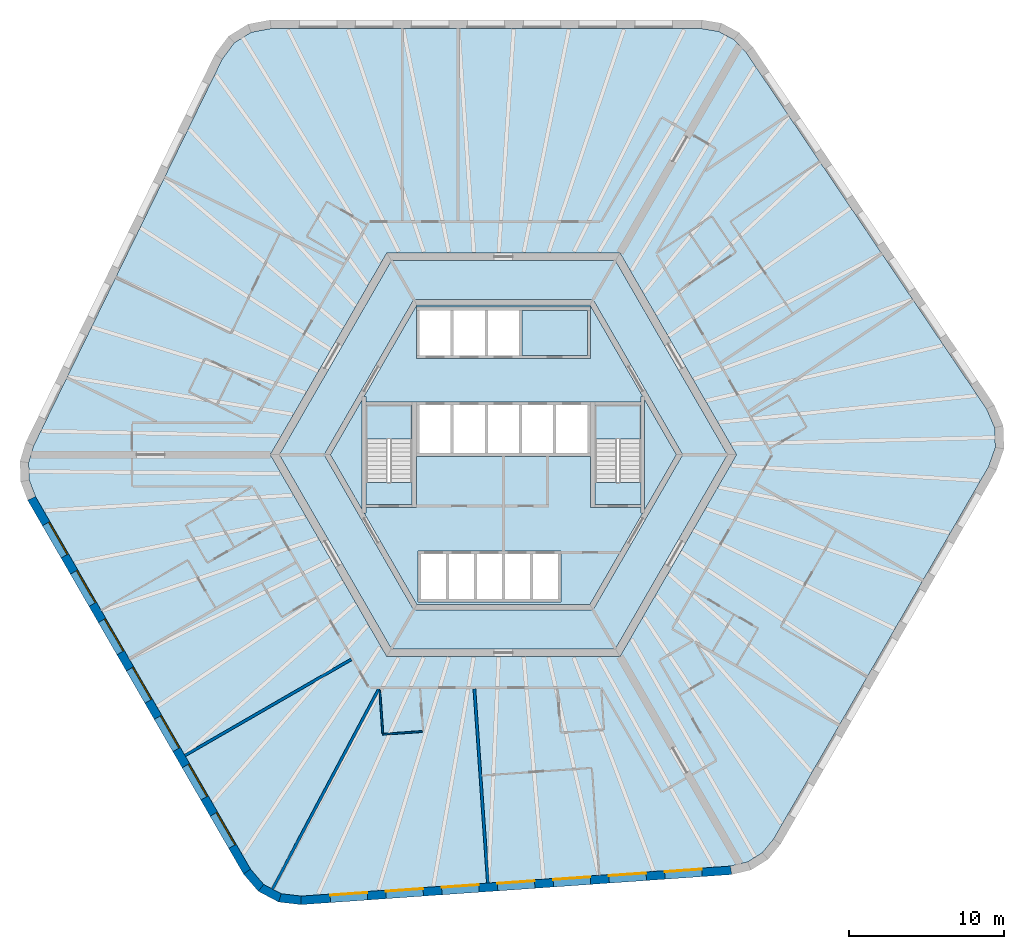
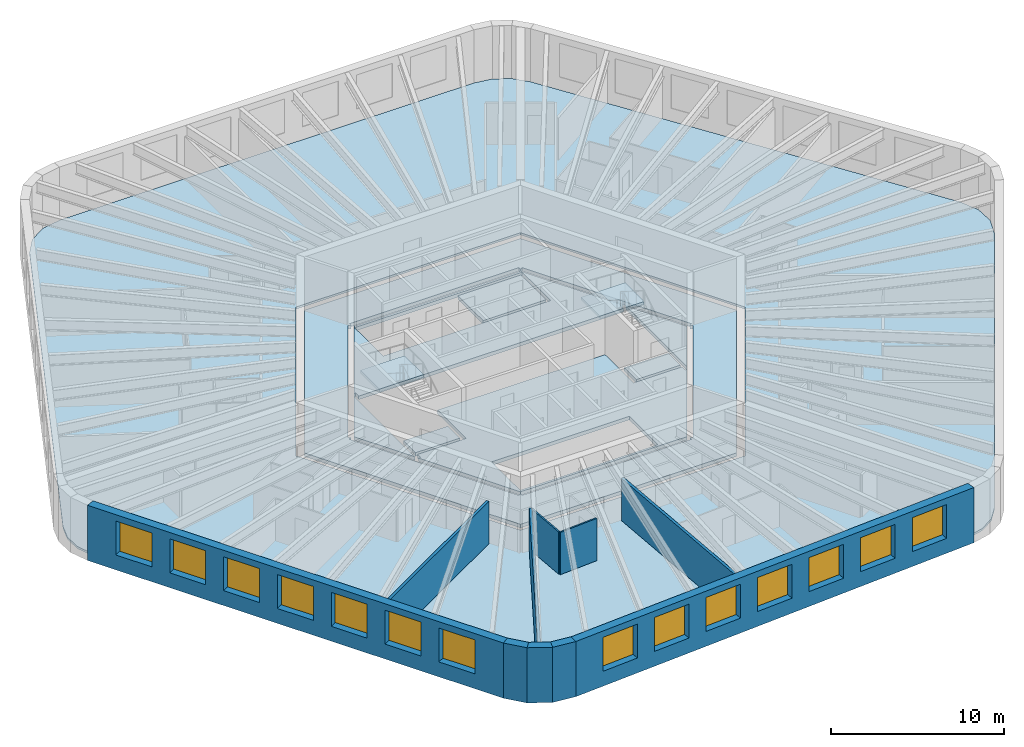
# One storey, part 2 of 10: 14 windows, 11 slabs, 10 walls, 14 openings, 2 elements without a shape of their own.
"""IFC4 building model written with IfcOpenShell, lengths in metres."""

from ifc_helpers import new_model, si_unit, direction, frame, frame_2d, origin, place, context, subcontext, project, spatial, polyline, rectangle, outline, extrude, material, layer, layer_set, type_object, element, fill, aggregate, save


model = new_model("IFC4")

# Units and contexts
model_context = context("Model", 3, precision=1e-05, world=origin(), true_north=direction((0.0, 1.0)))
body_context = subcontext(model_context, "Body", "Model", "MODEL_VIEW")
ifc_project = project(units=[si_unit("LENGTHUNIT", "METRE"), si_unit("AREAUNIT", "SQUARE_METRE"), si_unit("VOLUMEUNIT", "CUBIC_METRE"), si_unit("PLANEANGLEUNIT", "RADIAN"), si_unit("MASSUNIT", "GRAM", prefix="KILO")], contexts=[model_context])

# Site, building, storey
site_placement = place(None, origin())
site = spatial("IfcSite", under=ifc_project, at=site_placement, CompositionType="ELEMENT")
building_placement = place(site_placement, origin())
building = spatial("IfcBuilding", under=site, at=building_placement, Name="Tarnside Tower", CompositionType="ELEMENT")
storey_placement = place(building_placement, frame((0.0, 0.0, 168.300048828125)))
storey = spatial("IfcBuildingStorey", under=building, at=storey_placement, Name="L39", CompositionType="ELEMENT", Elevation=168.300048828125)

# Slabs
ifc_material_1 = material(Name="Concrete C35/45", Category="concrete")
ifc_layer_1 = layer(ifc_material_1, 0.14990234375)
ifc_layer_set_1 = layer_set([ifc_layer_1], Name="Composite floor slab 150")
slab_type_1 = type_object("IfcSlabType", Name="Composite floor slab 150", PredefinedType="FLOOR", material=ifc_layer_set_1)
slab_1_placement = place(storey_placement, frame((0.0, 0.0, -0.150146484375)))
element("IfcSlab", 1, at=slab_1_placement, inside=storey, type_object=slab_type_1, Name="Floor slab L39", PredefinedType="FLOOR", context=body_context, shape_type="SweptSolid", body=[
    extrude(outline(polyline([(13.864013671875, 27.264892578125), (14.85107421875, 26.740234375), (15.6337890625, 25.91064453125), (31.12890625, 2.938232421875), (31.644287109375, 1.7431640625), (31.68896484375, 0.468505859375), (31.258056640625, -0.759521484375), (17.403076171875, -24.7568359375), (16.68017578125, -25.63916015625), (15.732177734375, -26.2314453125), (14.622314453125, -26.494384765625), (-13.02001953125, -28.427490234375), (-14.3125, -28.2763671875), (-15.438720703125, -27.677490234375), (-16.286865234375, -26.6904296875), (-30.1416015625, -2.693115234375), (-30.544189453125, -1.6259765625), (-30.583251953125, -0.5087890625), (-30.256103515625, 0.583984375), (-18.10888671875, 25.4892578125), (-17.331787109375, 26.533203125), (-16.250244140625, 27.208984375), (-14.97119140625, 27.449951171875), (12.738525390625, 27.449951171875), (13.864013671875, 27.264892578125)]), holes=[polyline([(-15.010986328125, 0.0), (-7.505615234375, -13.0), (7.505615234375, -13.0), (15.010986328125, 0.0), (7.505615234375, 13.0), (-7.505615234375, 13.0), (-15.010986328125, 0.0)])]), origin(), (0.0, 0.0, 1.0), 0.150146484375),
])
ifc_material_2 = material(Name="Concrete C40/50", Category="concrete")
ifc_layer_2 = layer(ifc_material_2, 0.25)
ifc_layer_set_2 = layer_set([ifc_layer_2], Name="Core slab C40/50")
slab_type_2 = type_object("IfcSlabType", Name="Core slab C40/50", PredefinedType="FLOOR", material=ifc_layer_set_2)
slab_2_placement = place(storey_placement, frame((0.0, 0.0, -0.25)))
element("IfcSlab", 2, at=slab_2_placement, inside=storey, type_object=slab_type_2, Name="L39 core floor slab 1", PredefinedType="FLOOR", context=body_context, shape_type="SweptSolid", body=[
    extrude(outline(polyline([(-7.216796875, 12.5), (7.216796875, 12.5), (14.433837890625, 0.0), (7.216796875, -12.5), (-7.216796875, -12.5), (-14.433837890625, 0.0), (-7.216796875, 12.5)]), holes=[polyline([(5.823974609375, -9.91259765625), (11.49658203125, -0.08740234375), (11.344970703125, 0.0), (11.49658203125, 0.08740234375), (5.823974609375, 9.91259765625), (5.672607421875, 9.824951171875), (5.672607421875, 10.0), (-5.672607421875, 10.0), (-5.672607421875, 9.824951171875), (-5.823974609375, 9.91259765625), (-11.49658203125, 0.08740234375), (-11.344970703125, 0.0), (-11.49658203125, -0.08740234375), (-5.823974609375, -9.91259765625), (-5.672607421875, -9.824951171875), (-5.672607421875, -10.0), (5.672607421875, -10.0), (5.672607421875, -9.824951171875), (5.823974609375, -9.91259765625)])]), origin(), (0.0, 0.0, 1.0), 0.25),
])
slab_3_placement = place(storey_placement, frame((0.0, 0.0, -0.25)))
element("IfcSlab", 3, at=slab_3_placement, inside=storey, type_object=slab_type_2, Name="L39 core floor slab 2", PredefinedType="FLOOR", context=body_context, shape_type="SweptSolid", body=[
    extrude(outline(polyline([(-8.97509765625, 3.7548828125), (-5.5712890625, 9.64990234375), (5.5712890625, 9.64990234375), (8.97509765625, 3.7548828125), (8.85009765625, 3.7548828125), (8.85009765625, 3.39990234375), (5.89990234375, 3.39990234375), (5.60009765625, 3.39990234375), (5.60009765625, 3.39990234375), (-5.60009765625, 3.39990234375), (-5.89990234375, 3.39990234375), (-8.85009765625, 3.39990234375), (-8.85009765625, 3.7548828125), (-8.97509765625, 3.7548828125)]), holes=[polyline([(-5.60009765625, 6.199951171875), (5.60009765625, 6.199951171875), (5.60009765625, 6.39990234375), (5.60009765625, 9.300048828125), (5.60009765625, 9.5), (-5.60009765625, 9.5), (-5.60009765625, 9.300048828125), (-5.60009765625, 6.39990234375), (-5.60009765625, 6.199951171875)])]), origin(), (0.0, 0.0, 1.0), 0.25),
])
slab_4_placement = place(storey_placement, frame((0.0, 0.0, -0.25)))
element("IfcSlab", 4, at=slab_4_placement, inside=storey, type_object=slab_type_2, Name="L39 core floor slab 3", PredefinedType="FLOOR", context=body_context, shape_type="SweptSolid", body=[
    extrude(outline(polyline([(5.60009765625, -3.39990234375), (5.89990234375, -3.39990234375), (8.85009765625, -3.39990234375), (8.85009765625, -3.7548828125), (8.97509765625, -3.7548828125), (5.5712890625, -9.64990234375), (-5.5712890625, -9.64990234375), (-8.97509765625, -3.7548828125), (-8.85009765625, -3.7548828125), (-8.85009765625, -3.39990234375), (-5.89990234375, -3.39990234375), (-5.60009765625, -3.39990234375), (-5.60009765625, -0.10009765625), (5.60009765625, -0.10009765625), (5.60009765625, -3.39990234375)]), holes=[polyline([(-5.5, -9.300048828125), (-5.5, -9.5), (3.699951171875, -9.5), (3.699951171875, -9.300048828125), (3.699951171875, -6.39990234375), (3.699951171875, -6.199951171875), (-5.5, -6.199951171875), (-5.5, -6.39990234375), (-5.5, -9.300048828125)])]), origin(), (0.0, 0.0, 1.0), 0.25),
])
slab_5_placement = place(storey_placement, frame((0.0, 0.0, -0.25)))
element("IfcSlab", 5, at=slab_5_placement, inside=storey, type_object=slab_type_2, Name="L39 core floor slab 4", PredefinedType="FLOOR", context=body_context, shape_type="SweptSolid", body=[
    extrude(outline(polyline([(-11.142822265625, 0.0), (-9.10009765625, 3.538330078125), (-9.10009765625, -3.538330078125), (-11.142822265625, 0.0)])), origin(), (0.0, 0.0, 1.0), 0.25),
])
slab_6_placement = place(storey_placement, frame((0.0, 0.0, -0.25)))
element("IfcSlab", 6, at=slab_6_placement, inside=storey, type_object=slab_type_2, Name="L39 core floor slab 5", PredefinedType="FLOOR", context=body_context, shape_type="SweptSolid", body=[
    extrude(outline(polyline([(-8.85009765625, -1.800048828125), (-5.89990234375, -1.800048828125), (-5.89990234375, -3.199951171875), (-8.85009765625, -3.199951171875), (-8.85009765625, -1.800048828125)])), origin(), (0.0, 0.0, 1.0), 0.25),
])
slab_7_placement = place(storey_placement, frame((0.0, 0.0, -0.25)))
element("IfcSlab", 7, at=slab_7_placement, inside=storey, type_object=slab_type_2, Name="L39 core floor slab 6", PredefinedType="FLOOR", context=body_context, shape_type="SweptSolid", body=[
    extrude(outline(polyline([(5.89990234375, -3.199951171875), (5.89990234375, -1.800048828125), (8.85009765625, -1.800048828125), (8.85009765625, -3.199951171875), (5.89990234375, -3.199951171875)])), origin(), (0.0, 0.0, 1.0), 0.25),
])
slab_8_placement = place(storey_placement, frame((0.0, 0.0, -0.25)))
element("IfcSlab", 8, at=slab_8_placement, inside=storey, type_object=slab_type_2, Name="L39 core floor slab 7", PredefinedType="FLOOR", context=body_context, shape_type="SweptSolid", body=[
    extrude(outline(polyline([(9.10009765625, -3.538330078125), (9.10009765625, 3.538330078125), (11.142822265625, 0.0), (9.10009765625, -3.538330078125)])), origin(), (0.0, 0.0, 1.0), 0.25),
])
slab_9_placement = place(storey_placement, frame((0.0, 0.0, -0.25)))
element("IfcSlab", 9, at=slab_9_placement, inside=storey, type_object=slab_type_2, Name="L39 core floor slab 8", PredefinedType="FLOOR", context=body_context, shape_type="SweptSolid", body=[
    extrude(outline(polyline([(5.39990234375, 9.300048828125), (5.39990234375, 6.39990234375), (1.199951171875, 6.39990234375), (1.199951171875, 9.300048828125), (5.39990234375, 9.300048828125)])), origin(), (0.0, 0.0, 1.0), 0.25),
])

# Stair, slab
stair_type = type_object("IfcStairType", Name="Exit stair 1400 clear", PredefinedType="HALF_TURN_STAIR", material=ifc_material_2)
stair_1_placement = place(storey_placement, origin())
stair_1 = element("IfcStair", 10, at=stair_1_placement, inside=storey, type_object=stair_type, Name="L39 Exit stair 1", PredefinedType="HALF_TURN_STAIR")
ifc_layer_3 = layer(ifc_material_2, 0.199951171875)
ifc_layer_set_3 = layer_set([ifc_layer_3], Name="Stair landing 200 C40/50")
slab_type_3 = type_object("IfcSlabType", Name="Stair landing 200 C40/50", PredefinedType="LANDING", material=ifc_layer_set_3)
slab_10_placement = place(storey_placement, frame((0.0, 0.0, 1.75)))
slab_10 = element("IfcSlab", 11, at=slab_10_placement, type_object=slab_type_3, Name="ST1 landing 1", PredefinedType="LANDING", context=body_context, shape_type="SweptSolid", body=[
    extrude(outline(polyline([(8.85009765625, 1.0), (8.85009765625, 3.199951171875), (5.89990234375, 3.199951171875), (5.89990234375, 1.0), (8.85009765625, 1.0)])), origin(), (0.0, 0.0, 1.0), 0.199951171875),
])
aggregate(stair_1, [slab_10])

stair_2_placement = place(storey_placement, origin())
stair_2 = element("IfcStair", 12, at=stair_2_placement, inside=storey, type_object=stair_type, Name="L39 Exit stair 2", PredefinedType="HALF_TURN_STAIR")
slab_11_placement = place(storey_placement, frame((0.0, 0.0, 1.75)))
slab_11 = element("IfcSlab", 13, at=slab_11_placement, type_object=slab_type_3, Name="ST2 landing 1", PredefinedType="LANDING", context=body_context, shape_type="SweptSolid", body=[
    extrude(outline(polyline([(-5.89990234375, 1.0), (-5.89990234375, 3.199951171875), (-8.85009765625, 3.199951171875), (-8.85009765625, 1.0), (-5.89990234375, 1.0)])), origin(), (0.0, 0.0, 1.0), 0.199951171875),
])
aggregate(stair_2, [slab_11])

# Walls
ifc_material_3 = material(Name="Gypsum board partition on steel studs", Category="steel")
ifc_layer_4 = layer(ifc_material_3, 0.10009765625)
ifc_layer_set_4 = layer_set([ifc_layer_4], Name="Bathroom wall 100")
wall_type_1 = type_object("IfcWallType", Name="Bathroom wall 100", PredefinedType="PARTITIONING", material=ifc_layer_set_4)
wall_1_placement = place(storey_placement, frame((-5.2216796875, -17.82763671875, 0.0), z_axis=(0.0, 0.0, 1.0), x_axis=(-0.997567829494, -0.069702407128, 0.0)))
element("IfcWall", 14, at=wall_1_placement, inside=storey, type_object=wall_type_1, Name="Bathroom wall 12077", PredefinedType="PARTITIONING", context=body_context, shape_type="SweptSolid", body=[
    extrude(rectangle(XDim=2.5498046875, YDim=0.10009765625, at=frame_2d((1.27490234375, 0.0))), origin(), (0.0, 0.0, 1.0), 2.98779296875),
])
wall_2_placement = place(storey_placement, frame((-7.76904296875, -17.95556640625, 0.0), z_axis=(0.0, 0.0, 1.0), x_axis=(-0.069756058123, 0.997564079323, 0.0)))
element("IfcWall", 15, at=wall_2_placement, inside=storey, type_object=wall_type_1, Name="Bathroom wall 12078", PredefinedType="PARTITIONING", context=body_context, shape_type="SweptSolid", body=[
    extrude(rectangle(XDim=2.79296875, YDim=0.10009765625, at=frame_2d((1.396484375, 0.0))), origin(), (0.0, 0.0, 1.0), 2.98779296875),
])
ifc_layer_5 = layer(ifc_material_3, 0.179931640625)
ifc_layer_set_5 = layer_set([ifc_layer_5], Name="Demising wall 180 EI 60")
wall_type_2 = type_object("IfcWallType", Name="Demising wall 180 EI 60", PredefinedType="PARTITIONING", material=ifc_layer_set_5)
wall_3_placement = place(storey_placement, frame((-20.513427734375, -19.36962890625, 0.0), z_axis=(0.0, 0.0, 1.0), x_axis=(0.866024931941, 0.500000817256, 0.0)))
element("IfcWall", 16, at=wall_3_placement, inside=storey, type_object=wall_type_2, Name="Demising wall 12074", PredefinedType="PARTITIONING", context=body_context, shape_type="SweptSolid", body=[
    extrude(rectangle(XDim=12.375, YDim=0.179931640625, at=frame_2d((6.1875, 0.0))), origin(), (0.0, 0.0, 1.0), 2.98779296875),
])
wall_4_placement = place(storey_placement, frame((-14.875732421875, -27.97705078125, 0.0), z_axis=(0.0, 0.0, 1.0), x_axis=(0.469468328163, 0.882949312731, 0.0)))
element("IfcWall", 17, at=wall_4_placement, inside=storey, type_object=wall_type_2, Name="Demising wall 12075", PredefinedType="PARTITIONING", context=body_context, shape_type="SweptSolid", body=[
    extrude(rectangle(XDim=14.612548828125, YDim=0.179931640625, at=frame_2d((7.30615234375, 0.0))), origin(), (0.0, 0.0, 1.0), 2.98779296875),
])
wall_5_placement = place(storey_placement, frame((-0.99609375, -27.586669921875, 0.0), z_axis=(0.0, 0.0, 1.0), x_axis=(-0.069744671963, 0.997564875451, 0.0)))
element("IfcWall", 18, at=wall_5_placement, inside=storey, type_object=wall_type_2, Name="Demising wall 12079", PredefinedType="PARTITIONING", context=body_context, shape_type="SweptSolid", body=[
    extrude(rectangle(XDim=12.542236328125, YDim=0.179931640625, at=frame_2d((6.27099609375, 0.0))), origin(), (0.0, 0.0, 1.0), 2.98779296875),
])

# Wall, openings, windows
ifc_material_4 = material(Name="Facing brick", Category="masonry")
ifc_layer_6 = layer(ifc_material_4, 0.10205078125)
ifc_material_5 = material(Name="Concrete C60/75 precast", Category="concrete")
ifc_layer_7 = layer(ifc_material_5, 0.347900390625)
ifc_material_6 = material(Name="Mineral wool insulation")
ifc_layer_8 = layer(ifc_material_6, 0.10009765625)
ifc_layer_set_6 = layer_set([ifc_layer_6, ifc_layer_7, ifc_layer_8], Name="Tube wall 550 brick faced")
wall_type_3 = type_object("IfcWallType", Name="Tube wall 550 brick faced", PredefinedType="SOLIDWALL", material=ifc_layer_set_6)
wall_6_placement = place(storey_placement, frame((-30.39111328125, -2.81103515625, -0.150146484375), z_axis=(0.0, 0.0, 1.0), x_axis=(0.499998569178, -0.866026229868, 0.0)))
wall_6 = element("IfcWall", 19, at=wall_6_placement, inside=storey, type_object=wall_type_3, Name="Tube wall L39 F3 flush 08", PredefinedType="SOLIDWALL", context=body_context, shape_type="SweptSolid", body=[
    extrude(outline(polyline([(-0.0224609375, -0.27490234375), (27.783447265625, -0.27490234375), (27.732177734375, 0.27490234375), (0.0224609375, 0.27490234375), (-0.0224609375, -0.27490234375)])), origin(), (0.0, 0.0, 1.0), 3.900146484375),
])
opening_1_placement = place(wall_6_placement, frame((1.87890625, 0.0, 1.050048828125)))
opening_1 = element("IfcOpeningElement", 20, at=opening_1_placement, cuts=wall_6, Name="Opening WH", PredefinedType="OPENING", context=body_context, shape_type="SweptSolid", body=[
    extrude(rectangle(XDim=2.39990234375, YDim=2.39990234375, at=frame_2d((1.199951171875, 1.199951171875))), frame((0.0, 0.28515625, 0.0), z_axis=(0.0, -1.0, 0.0), x_axis=(1.0, 0.0, 0.0)), (0.0, 0.0, 1.0), 0.570068359375),
])
opening_2_placement = place(wall_6_placement, frame((5.47900390625, 0.0, 1.050048828125)))
opening_2 = element("IfcOpeningElement", 21, at=opening_2_placement, cuts=wall_6, Name="Opening WH", PredefinedType="OPENING", context=body_context, shape_type="SweptSolid", body=[
    extrude(rectangle(XDim=2.39990234375, YDim=2.39990234375, at=frame_2d((1.199951171875, 1.199951171875))), frame((0.0, 0.28515625, 0.0), z_axis=(0.0, -1.0, 0.0), x_axis=(1.0, 0.0, 0.0)), (0.0, 0.0, 1.0), 0.570068359375),
])
opening_3_placement = place(wall_6_placement, frame((9.078857421875, 0.0, 1.050048828125)))
opening_3 = element("IfcOpeningElement", 22, at=opening_3_placement, cuts=wall_6, Name="Opening WH", PredefinedType="OPENING", context=body_context, shape_type="SweptSolid", body=[
    extrude(rectangle(XDim=2.39990234375, YDim=2.39990234375, at=frame_2d((1.199951171875, 1.199951171875))), frame((0.0, 0.28515625, 0.0), z_axis=(0.0, -1.0, 0.0), x_axis=(1.0, 0.0, 0.0)), (0.0, 0.0, 1.0), 0.570068359375),
])
opening_4_placement = place(wall_6_placement, frame((12.678955078125, 0.0, 1.050048828125)))
opening_4 = element("IfcOpeningElement", 23, at=opening_4_placement, cuts=wall_6, Name="Opening WH", PredefinedType="OPENING", context=body_context, shape_type="SweptSolid", body=[
    extrude(rectangle(XDim=2.39990234375, YDim=2.39990234375, at=frame_2d((1.199951171875, 1.199951171875))), frame((0.0, 0.28515625, 0.0), z_axis=(0.0, -1.0, 0.0), x_axis=(1.0, 0.0, 0.0)), (0.0, 0.0, 1.0), 0.570068359375),
])
opening_5_placement = place(wall_6_placement, frame((16.27880859375, 0.0, 1.050048828125)))
opening_5 = element("IfcOpeningElement", 24, at=opening_5_placement, cuts=wall_6, Name="Opening WH", PredefinedType="OPENING", context=body_context, shape_type="SweptSolid", body=[
    extrude(rectangle(XDim=2.39990234375, YDim=2.39990234375, at=frame_2d((1.199951171875, 1.199951171875))), frame((0.0, 0.28515625, 0.0), z_axis=(0.0, -1.0, 0.0), x_axis=(1.0, 0.0, 0.0)), (0.0, 0.0, 1.0), 0.570068359375),
])
opening_6_placement = place(wall_6_placement, frame((19.87890625, 0.0, 1.050048828125)))
opening_6 = element("IfcOpeningElement", 25, at=opening_6_placement, cuts=wall_6, Name="Opening WH", PredefinedType="OPENING", context=body_context, shape_type="SweptSolid", body=[
    extrude(rectangle(XDim=2.39990234375, YDim=2.39990234375, at=frame_2d((1.199951171875, 1.199951171875))), frame((0.0, 0.28515625, 0.0), z_axis=(0.0, -1.0, 0.0), x_axis=(1.0, 0.0, 0.0)), (0.0, 0.0, 1.0), 0.570068359375),
])
opening_7_placement = place(wall_6_placement, frame((23.47900390625, 0.0, 1.050048828125)))
opening_7 = element("IfcOpeningElement", 26, at=opening_7_placement, cuts=wall_6, Name="Opening WH", PredefinedType="OPENING", context=body_context, shape_type="SweptSolid", body=[
    extrude(rectangle(XDim=2.39990234375, YDim=2.39990234375, at=frame_2d((1.199951171875, 1.199951171875))), frame((0.0, 0.28515625, 0.0), z_axis=(0.0, -1.0, 0.0), x_axis=(1.0, 0.0, 0.0)), (0.0, 0.0, 1.0), 0.570068359375),
])
ifc_material_7 = material(Name="Aluminium-framed double glazing", Category="aluminium")
window_type = type_object("IfcWindowType", Name="Hotel window 2400 x 2400", PartitioningType="DOUBLE_PANEL_VERTICAL", PredefinedType="WINDOW", material=ifc_material_7)
window_1_placement = place(opening_1_placement, frame((0.0, 0.205078125, 0.0)))
window_1 = element("IfcWindow", 27, at=window_1_placement, inside=storey, type_object=window_type, Name="E.WN.L39.F3.00", OverallHeight=2.39990234375, OverallWidth=2.39990234375, PartitioningType="DOUBLE_PANEL_VERTICAL", PredefinedType="WINDOW", context=body_context, shape_type="SweptSolid", body=[
    extrude(rectangle(XDim=2.39990234375, YDim=2.39990234375, at=frame_2d((1.199951171875, 1.199951171875))), frame((0.0, 0.030029296875, 0.0), z_axis=(0.0, -1.0, 0.0), x_axis=(1.0, 0.0, 0.0)), (0.0, 0.0, 1.0), 0.06005859375),
])
fill(opening_1, window_1)
window_2_placement = place(opening_2_placement, frame((0.0, 0.205078125, 0.0)))
window_2 = element("IfcWindow", 28, at=window_2_placement, inside=storey, type_object=window_type, Name="E.WN.L39.F3.01", OverallHeight=2.39990234375, OverallWidth=2.39990234375, PartitioningType="DOUBLE_PANEL_VERTICAL", PredefinedType="WINDOW", context=body_context, shape_type="SweptSolid", body=[
    extrude(rectangle(XDim=2.39990234375, YDim=2.39990234375, at=frame_2d((1.199951171875, 1.199951171875))), frame((0.0, 0.030029296875, 0.0), z_axis=(0.0, -1.0, 0.0), x_axis=(1.0, 0.0, 0.0)), (0.0, 0.0, 1.0), 0.06005859375),
])
fill(opening_2, window_2)
window_3_placement = place(opening_3_placement, frame((0.0, 0.205078125, 0.0)))
window_3 = element("IfcWindow", 29, at=window_3_placement, inside=storey, type_object=window_type, Name="E.WN.L39.F3.02", OverallHeight=2.39990234375, OverallWidth=2.39990234375, PartitioningType="DOUBLE_PANEL_VERTICAL", PredefinedType="WINDOW", context=body_context, shape_type="SweptSolid", body=[
    extrude(rectangle(XDim=2.39990234375, YDim=2.39990234375, at=frame_2d((1.199951171875, 1.199951171875))), frame((0.0, 0.030029296875, 0.0), z_axis=(0.0, -1.0, 0.0), x_axis=(1.0, 0.0, 0.0)), (0.0, 0.0, 1.0), 0.06005859375),
])
fill(opening_3, window_3)
window_4_placement = place(opening_4_placement, frame((0.0, 0.205078125, 0.0)))
window_4 = element("IfcWindow", 30, at=window_4_placement, inside=storey, type_object=window_type, Name="E.WN.L39.F3.03", OverallHeight=2.39990234375, OverallWidth=2.39990234375, PartitioningType="DOUBLE_PANEL_VERTICAL", PredefinedType="WINDOW", context=body_context, shape_type="SweptSolid", body=[
    extrude(rectangle(XDim=2.39990234375, YDim=2.39990234375, at=frame_2d((1.199951171875, 1.199951171875))), frame((0.0, 0.030029296875, 0.0), z_axis=(0.0, -1.0, 0.0), x_axis=(1.0, 0.0, 0.0)), (0.0, 0.0, 1.0), 0.06005859375),
])
fill(opening_4, window_4)
window_5_placement = place(opening_5_placement, frame((0.0, 0.205078125, 0.0)))
window_5 = element("IfcWindow", 31, at=window_5_placement, inside=storey, type_object=window_type, Name="E.WN.L39.F3.04", OverallHeight=2.39990234375, OverallWidth=2.39990234375, PartitioningType="DOUBLE_PANEL_VERTICAL", PredefinedType="WINDOW", context=body_context, shape_type="SweptSolid", body=[
    extrude(rectangle(XDim=2.39990234375, YDim=2.39990234375, at=frame_2d((1.199951171875, 1.199951171875))), frame((0.0, 0.030029296875, 0.0), z_axis=(0.0, -1.0, 0.0), x_axis=(1.0, 0.0, 0.0)), (0.0, 0.0, 1.0), 0.06005859375),
])
fill(opening_5, window_5)
window_6_placement = place(opening_6_placement, frame((0.0, 0.205078125, 0.0)))
window_6 = element("IfcWindow", 32, at=window_6_placement, inside=storey, type_object=window_type, Name="E.WN.L39.F3.05", OverallHeight=2.39990234375, OverallWidth=2.39990234375, PartitioningType="DOUBLE_PANEL_VERTICAL", PredefinedType="WINDOW", context=body_context, shape_type="SweptSolid", body=[
    extrude(rectangle(XDim=2.39990234375, YDim=2.39990234375, at=frame_2d((1.199951171875, 1.199951171875))), frame((0.0, 0.030029296875, 0.0), z_axis=(0.0, -1.0, 0.0), x_axis=(1.0, 0.0, 0.0)), (0.0, 0.0, 1.0), 0.06005859375),
])
fill(opening_6, window_6)
window_7_placement = place(opening_7_placement, frame((0.0, 0.205078125, 0.0)))
window_7 = element("IfcWindow", 33, at=window_7_placement, inside=storey, type_object=window_type, Name="E.WN.L39.F3.06", OverallHeight=2.39990234375, OverallWidth=2.39990234375, PartitioningType="DOUBLE_PANEL_VERTICAL", PredefinedType="WINDOW", context=body_context, shape_type="SweptSolid", body=[
    extrude(rectangle(XDim=2.39990234375, YDim=2.39990234375, at=frame_2d((1.199951171875, 1.199951171875))), frame((0.0, 0.030029296875, 0.0), z_axis=(0.0, -1.0, 0.0), x_axis=(1.0, 0.0, 0.0)), (0.0, 0.0, 1.0), 0.06005859375),
])
fill(opening_7, window_7)

# Walls
wall_7_placement = place(storey_placement, frame((-16.51220703125, -26.85009765625, -0.150146484375), z_axis=(0.0, 0.0, 1.0), x_axis=(0.651621950847, -0.758543890078, 0.0)))
element("IfcWall", 34, at=wall_7_placement, inside=storey, type_object=wall_type_3, Name="Tube wall L39 F3 chord 09", PredefinedType="SOLIDWALL", context=body_context, shape_type="SweptSolid", body=[
    extrude(outline(polyline([(-0.025634765625, -0.27490234375), (1.430908203125, -0.27490234375), (1.327392578125, 0.27490234375), (0.025634765625, 0.27490234375), (-0.025634765625, -0.27490234375)])), origin(), (0.0, 0.0, 1.0), 3.900146484375),
])
wall_8_placement = place(storey_placement, frame((-15.613525390625, -27.896240234375, -0.150146484375), z_axis=(0.0, 0.0, 1.0), x_axis=(0.882994189209, -0.469383917304, 0.0)))
element("IfcWall", 35, at=wall_8_placement, inside=storey, type_object=wall_type_3, Name="Tube wall L39 F3 chord 10", PredefinedType="SOLIDWALL", context=body_context, shape_type="SweptSolid", body=[
    extrude(outline(polyline([(-0.0517578125, -0.27490234375), (1.4306640625, -0.27490234375), (1.3271484375, 0.27490234375), (0.0517578125, 0.27490234375), (-0.0517578125, -0.27490234375)])), origin(), (0.0, 0.0, 1.0), 3.900146484375),
])
wall_9_placement = place(storey_placement, frame((-14.39599609375, -28.54345703125, -0.150146484375), z_axis=(0.0, 0.0, 1.0), x_axis=(0.993232537394, -0.11614269956, 0.0)))
element("IfcWall", 36, at=wall_9_placement, inside=storey, type_object=wall_type_3, Name="Tube wall L39 F3 chord 11", PredefinedType="SOLIDWALL", context=body_context, shape_type="SweptSolid", body=[
    extrude(outline(polyline([(-0.0517578125, -0.27490234375), (1.404541015625, -0.27490234375), (1.353271484375, 0.27490234375), (0.0517578125, 0.27490234375), (-0.0517578125, -0.27490234375)])), origin(), (0.0, 0.0, 1.0), 3.900146484375),
])

# Wall, openings, windows
wall_10_placement = place(storey_placement, frame((-13.0263671875, -28.70361328125, -0.150146484375), z_axis=(0.0, 0.0, 1.0), x_axis=(0.99756406806, 0.069756219185, 0.0)))
wall_10 = element("IfcWall", 37, at=wall_10_placement, inside=storey, type_object=wall_type_3, Name="Tube wall L39 F4 flush 12", PredefinedType="SOLIDWALL", context=body_context, shape_type="SweptSolid", body=[
    extrude(outline(polyline([(-0.025634765625, -0.27490234375), (27.7802734375, -0.27490234375), (27.7353515625, 0.27490234375), (0.025634765625, 0.27490234375), (-0.025634765625, -0.27490234375)])), origin(), (0.0, 0.0, 1.0), 3.900146484375),
])
opening_8_placement = place(wall_10_placement, frame((1.87890625, 0.0, 1.050048828125)))
opening_8 = element("IfcOpeningElement", 38, at=opening_8_placement, cuts=wall_10, Name="Opening WH", PredefinedType="OPENING", context=body_context, shape_type="SweptSolid", body=[
    extrude(rectangle(XDim=2.39990234375, YDim=2.39990234375, at=frame_2d((1.199951171875, 1.199951171875))), frame((0.0, 0.28515625, 0.0), z_axis=(0.0, -1.0, 0.0), x_axis=(1.0, 0.0, 0.0)), (0.0, 0.0, 1.0), 0.570068359375),
])
opening_9_placement = place(wall_10_placement, frame((5.47900390625, 0.0, 1.050048828125)))
opening_9 = element("IfcOpeningElement", 39, at=opening_9_placement, cuts=wall_10, Name="Opening WH", PredefinedType="OPENING", context=body_context, shape_type="SweptSolid", body=[
    extrude(rectangle(XDim=2.39990234375, YDim=2.39990234375, at=frame_2d((1.199951171875, 1.199951171875))), frame((0.0, 0.28515625, 0.0), z_axis=(0.0, -1.0, 0.0), x_axis=(1.0, 0.0, 0.0)), (0.0, 0.0, 1.0), 0.570068359375),
])
opening_10_placement = place(wall_10_placement, frame((9.078857421875, 0.0, 1.050048828125)))
opening_10 = element("IfcOpeningElement", 40, at=opening_10_placement, cuts=wall_10, Name="Opening WH", PredefinedType="OPENING", context=body_context, shape_type="SweptSolid", body=[
    extrude(rectangle(XDim=2.39990234375, YDim=2.39990234375, at=frame_2d((1.199951171875, 1.199951171875))), frame((0.0, 0.28515625, 0.0), z_axis=(0.0, -1.0, 0.0), x_axis=(1.0, 0.0, 0.0)), (0.0, 0.0, 1.0), 0.570068359375),
])
opening_11_placement = place(wall_10_placement, frame((12.678955078125, 0.0, 1.050048828125)))
opening_11 = element("IfcOpeningElement", 41, at=opening_11_placement, cuts=wall_10, Name="Opening WH", PredefinedType="OPENING", context=body_context, shape_type="SweptSolid", body=[
    extrude(rectangle(XDim=2.39990234375, YDim=2.39990234375, at=frame_2d((1.199951171875, 1.199951171875))), frame((0.0, 0.28515625, 0.0), z_axis=(0.0, -1.0, 0.0), x_axis=(1.0, 0.0, 0.0)), (0.0, 0.0, 1.0), 0.570068359375),
])
opening_12_placement = place(wall_10_placement, frame((16.27880859375, 0.0, 1.050048828125)))
opening_12 = element("IfcOpeningElement", 42, at=opening_12_placement, cuts=wall_10, Name="Opening WH", PredefinedType="OPENING", context=body_context, shape_type="SweptSolid", body=[
    extrude(rectangle(XDim=2.39990234375, YDim=2.39990234375, at=frame_2d((1.199951171875, 1.199951171875))), frame((0.0, 0.28515625, 0.0), z_axis=(0.0, -1.0, 0.0), x_axis=(1.0, 0.0, 0.0)), (0.0, 0.0, 1.0), 0.570068359375),
])
opening_13_placement = place(wall_10_placement, frame((19.87890625, 0.0, 1.050048828125)))
opening_13 = element("IfcOpeningElement", 43, at=opening_13_placement, cuts=wall_10, Name="Opening WH", PredefinedType="OPENING", context=body_context, shape_type="SweptSolid", body=[
    extrude(rectangle(XDim=2.39990234375, YDim=2.39990234375, at=frame_2d((1.199951171875, 1.199951171875))), frame((0.0, 0.28515625, 0.0), z_axis=(0.0, -1.0, 0.0), x_axis=(1.0, 0.0, 0.0)), (0.0, 0.0, 1.0), 0.570068359375),
])
opening_14_placement = place(wall_10_placement, frame((23.47900390625, 0.0, 1.050048828125)))
opening_14 = element("IfcOpeningElement", 44, at=opening_14_placement, cuts=wall_10, Name="Opening WH", PredefinedType="OPENING", context=body_context, shape_type="SweptSolid", body=[
    extrude(rectangle(XDim=2.39990234375, YDim=2.39990234375, at=frame_2d((1.199951171875, 1.199951171875))), frame((0.0, 0.28515625, 0.0), z_axis=(0.0, -1.0, 0.0), x_axis=(1.0, 0.0, 0.0)), (0.0, 0.0, 1.0), 0.570068359375),
])
window_8_placement = place(opening_8_placement, frame((0.0, 0.205078125, 0.0)))
window_8 = element("IfcWindow", 45, at=window_8_placement, inside=storey, type_object=window_type, Name="E.WN.L39.F4.00", OverallHeight=2.39990234375, OverallWidth=2.39990234375, PartitioningType="DOUBLE_PANEL_VERTICAL", PredefinedType="WINDOW", context=body_context, shape_type="SweptSolid", body=[
    extrude(rectangle(XDim=2.39990234375, YDim=2.39990234375, at=frame_2d((1.199951171875, 1.199951171875))), frame((0.0, 0.030029296875, 0.0), z_axis=(0.0, -1.0, 0.0), x_axis=(1.0, 0.0, 0.0)), (0.0, 0.0, 1.0), 0.06005859375),
])
fill(opening_8, window_8)
window_9_placement = place(opening_9_placement, frame((0.0, 0.205078125, 0.0)))
window_9 = element("IfcWindow", 46, at=window_9_placement, inside=storey, type_object=window_type, Name="E.WN.L39.F4.01", OverallHeight=2.39990234375, OverallWidth=2.39990234375, PartitioningType="DOUBLE_PANEL_VERTICAL", PredefinedType="WINDOW", context=body_context, shape_type="SweptSolid", body=[
    extrude(rectangle(XDim=2.39990234375, YDim=2.39990234375, at=frame_2d((1.199951171875, 1.199951171875))), frame((0.0, 0.030029296875, 0.0), z_axis=(0.0, -1.0, 0.0), x_axis=(1.0, 0.0, 0.0)), (0.0, 0.0, 1.0), 0.06005859375),
])
fill(opening_9, window_9)
window_10_placement = place(opening_10_placement, frame((0.0, 0.205078125, 0.0)))
window_10 = element("IfcWindow", 47, at=window_10_placement, inside=storey, type_object=window_type, Name="E.WN.L39.F4.02", OverallHeight=2.39990234375, OverallWidth=2.39990234375, PartitioningType="DOUBLE_PANEL_VERTICAL", PredefinedType="WINDOW", context=body_context, shape_type="SweptSolid", body=[
    extrude(rectangle(XDim=2.39990234375, YDim=2.39990234375, at=frame_2d((1.199951171875, 1.199951171875))), frame((0.0, 0.030029296875, 0.0), z_axis=(0.0, -1.0, 0.0), x_axis=(1.0, 0.0, 0.0)), (0.0, 0.0, 1.0), 0.06005859375),
])
fill(opening_10, window_10)
window_11_placement = place(opening_11_placement, frame((0.0, 0.205078125, 0.0)))
window_11 = element("IfcWindow", 48, at=window_11_placement, inside=storey, type_object=window_type, Name="E.WN.L39.F4.03", OverallHeight=2.39990234375, OverallWidth=2.39990234375, PartitioningType="DOUBLE_PANEL_VERTICAL", PredefinedType="WINDOW", context=body_context, shape_type="SweptSolid", body=[
    extrude(rectangle(XDim=2.39990234375, YDim=2.39990234375, at=frame_2d((1.199951171875, 1.199951171875))), frame((0.0, 0.030029296875, 0.0), z_axis=(0.0, -1.0, 0.0), x_axis=(1.0, 0.0, 0.0)), (0.0, 0.0, 1.0), 0.06005859375),
])
fill(opening_11, window_11)
window_12_placement = place(opening_12_placement, frame((0.0, 0.205078125, 0.0)))
window_12 = element("IfcWindow", 49, at=window_12_placement, inside=storey, type_object=window_type, Name="E.WN.L39.F4.04", OverallHeight=2.39990234375, OverallWidth=2.39990234375, PartitioningType="DOUBLE_PANEL_VERTICAL", PredefinedType="WINDOW", context=body_context, shape_type="SweptSolid", body=[
    extrude(rectangle(XDim=2.39990234375, YDim=2.39990234375, at=frame_2d((1.199951171875, 1.199951171875))), frame((0.0, 0.030029296875, 0.0), z_axis=(0.0, -1.0, 0.0), x_axis=(1.0, 0.0, 0.0)), (0.0, 0.0, 1.0), 0.06005859375),
])
fill(opening_12, window_12)
window_13_placement = place(opening_13_placement, frame((0.0, 0.205078125, 0.0)))
window_13 = element("IfcWindow", 50, at=window_13_placement, inside=storey, type_object=window_type, Name="E.WN.L39.F4.05", OverallHeight=2.39990234375, OverallWidth=2.39990234375, PartitioningType="DOUBLE_PANEL_VERTICAL", PredefinedType="WINDOW", context=body_context, shape_type="SweptSolid", body=[
    extrude(rectangle(XDim=2.39990234375, YDim=2.39990234375, at=frame_2d((1.199951171875, 1.199951171875))), frame((0.0, 0.030029296875, 0.0), z_axis=(0.0, -1.0, 0.0), x_axis=(1.0, 0.0, 0.0)), (0.0, 0.0, 1.0), 0.06005859375),
])
fill(opening_13, window_13)
window_14_placement = place(opening_14_placement, frame((0.0, 0.205078125, 0.0)))
window_14 = element("IfcWindow", 51, at=window_14_placement, inside=storey, type_object=window_type, Name="E.WN.L39.F4.06", OverallHeight=2.39990234375, OverallWidth=2.39990234375, PartitioningType="DOUBLE_PANEL_VERTICAL", PredefinedType="WINDOW", context=body_context, shape_type="SweptSolid", body=[
    extrude(rectangle(XDim=2.39990234375, YDim=2.39990234375, at=frame_2d((1.199951171875, 1.199951171875))), frame((0.0, 0.030029296875, 0.0), z_axis=(0.0, -1.0, 0.0), x_axis=(1.0, 0.0, 0.0)), (0.0, 0.0, 1.0), 0.06005859375),
])
fill(opening_14, window_14)

save(model, "model.ifc")
